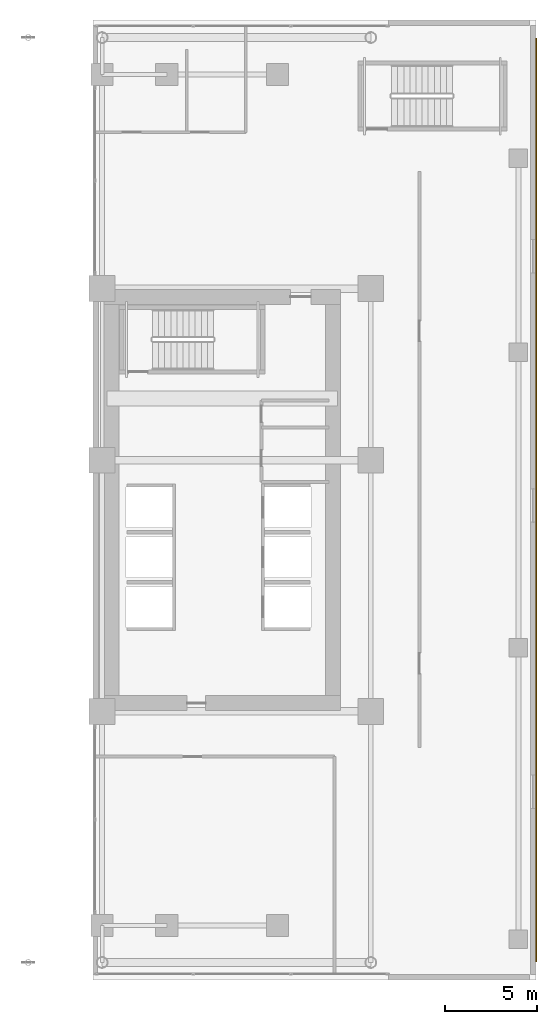
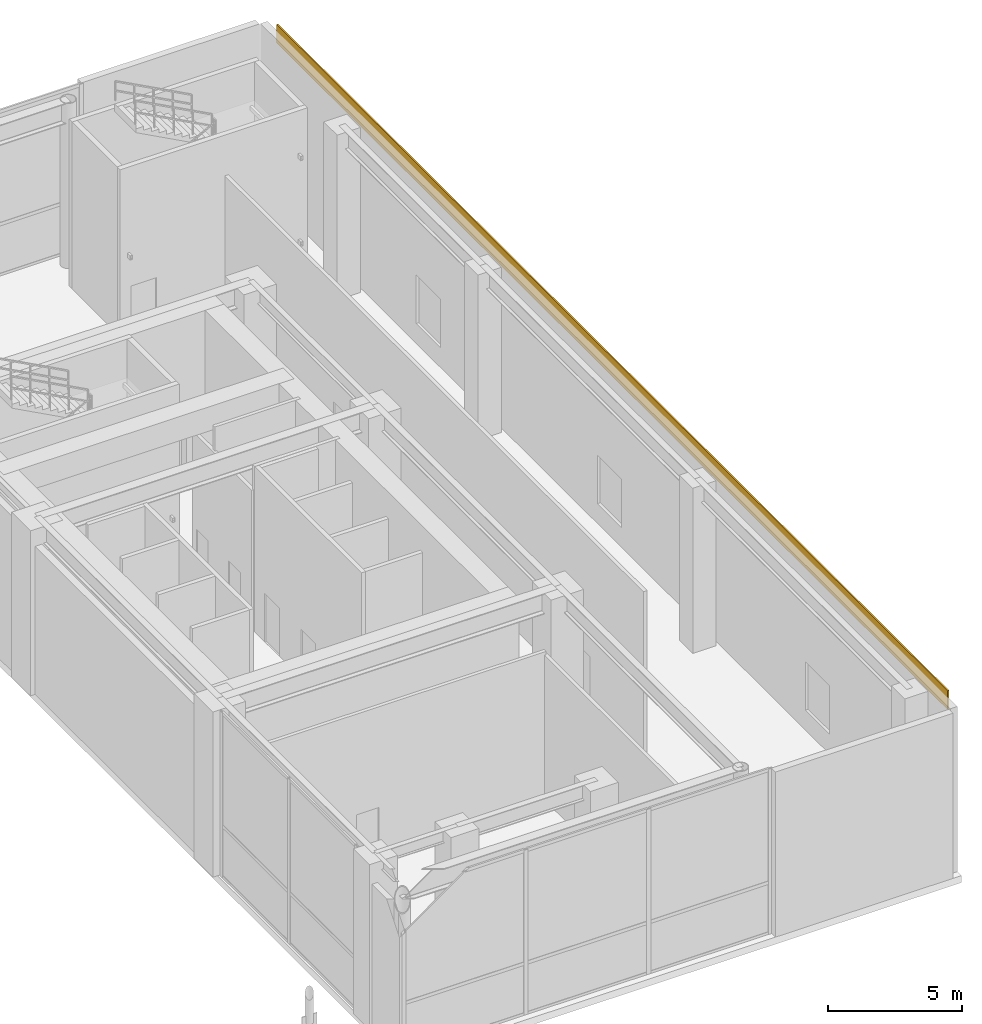
# One storey, part 29 of 29: 1 covering.
"""IFC4 building model written with IfcOpenShell, lengths in metres."""

from ifc_helpers import new_model, si_unit, direction, frame, origin, origin_2d, place, context, subcontext, project, spatial, rectangle, extrude, source, transform, mapped, material, layer, layer_set, type_object, element, save


model = new_model("IFC4")

# Units and contexts
model_context = context("Model", 3, precision=1e-05, world=origin(), true_north=direction((0.0, 1.0)))
body_context = subcontext(model_context, "Body", "Model", "MODEL_VIEW")
ifc_project = project(units=[si_unit("LENGTHUNIT", "METRE"), si_unit("AREAUNIT", "SQUARE_METRE"), si_unit("VOLUMEUNIT", "CUBIC_METRE"), si_unit("PLANEANGLEUNIT", "RADIAN"), si_unit("MASSUNIT", "GRAM", prefix="KILO")], contexts=[model_context])

# Site, building, storey
site_placement = place(None, origin())
site = spatial("IfcSite", under=ifc_project, at=site_placement, CompositionType="ELEMENT")
building_placement = place(site_placement, origin())
building = spatial("IfcBuilding", under=site, at=building_placement, Name="Ocotamira Hotel", CompositionType="ELEMENT")
storey_placement = place(building_placement, frame((0.0, 0.0, 11.39990234375)))
storey = spatial("IfcBuildingStorey", under=building, at=storey_placement, Name="L03", CompositionType="ELEMENT", Elevation=11.39990234375)

# Covering
ifc_material = material(Name="Pale-metal champagne aluminium rainscreen cladding", Category="aluminium")
ifc_layer = layer(ifc_material, 0.06005859375)
ifc_layer_set = layer_set([ifc_layer], Name="Pale-metal champagne aluminium rainscreen cladding")
covering_type = type_object("IfcCoveringType", Name="COV-CLAD-60", PredefinedType="CLADDING", material=ifc_layer_set)
shared_shape = source(origin(), body_context, "Body", "SweptSolid", [
    extrude(rectangle(XDim=0.06005859375, YDim=50.0, at=origin_2d()), origin(), (0.0, 0.0, 1.0), 0.85009765625),
])
covering_placement = place(storey_placement, frame((64.02001953125, 26.0, 6.949951171875), z_axis=(0.0, 0.0, 1.0), x_axis=(1.0, 0.0, 0.0)))
element("IfcCovering", 1, at=covering_placement, inside=storey, type_object=covering_type, Name="L03 East Spandrel Cladding", PredefinedType="CLADDING", context=body_context, shape_type="MappedRepresentation", body=[
    mapped(shared_shape, transform((0.0, 0.0, 0.0), scale=1.0)),
])

save(model, "model.ifc")
